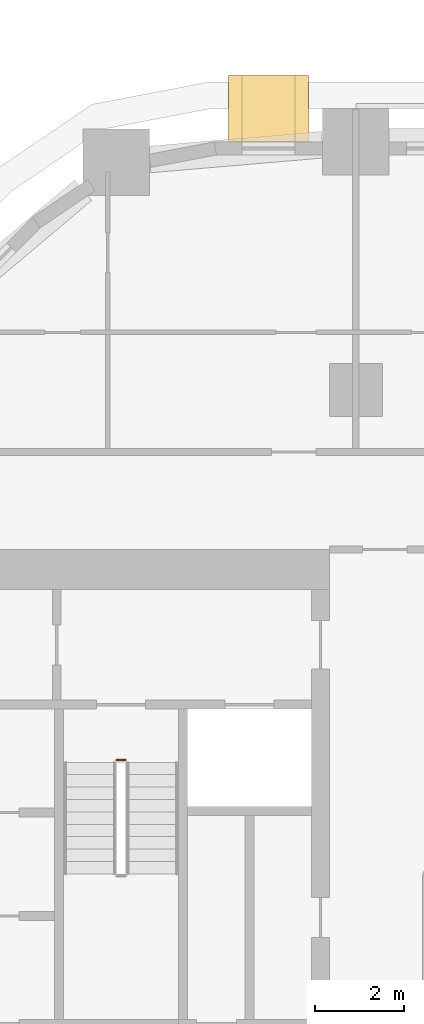
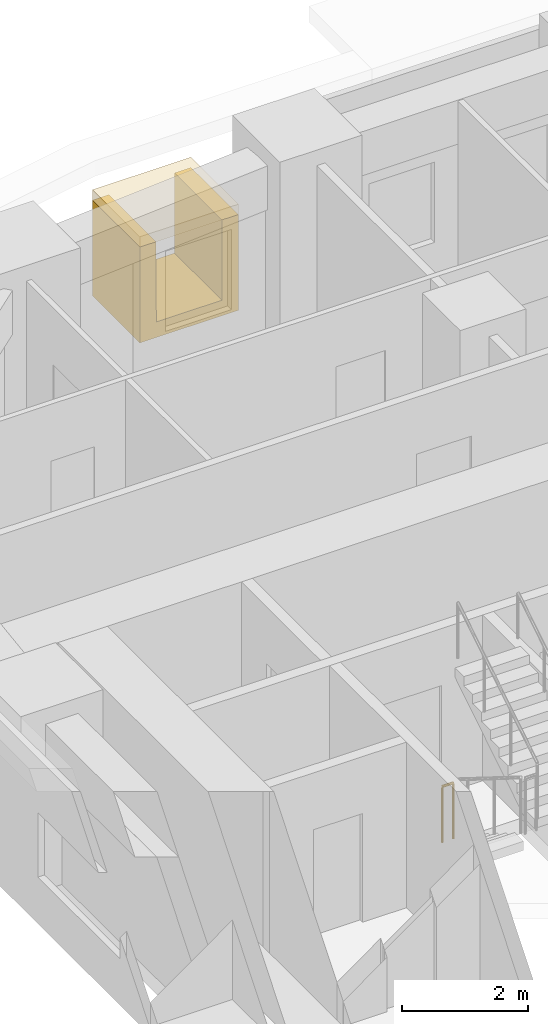
# One storey, part 20 of 22: 2 coverings, 1 railing.
"""IFC4 building model written with IfcOpenShell, lengths in metres."""

from ifc_helpers import new_model, si_unit, direction, frame, origin, origin_2d, place, context, subcontext, project, spatial, polyline, rectangle, circle, outline, extrude, material, layer, layer_set, type_object, element, save


model = new_model("IFC4")

# Units and contexts
model_context = context("Model", 3, precision=1e-05, world=origin(), true_north=direction((0.0, 1.0)))
body_context = subcontext(model_context, "Body", "Model", "MODEL_VIEW")
ifc_project = project(units=[si_unit("LENGTHUNIT", "METRE"), si_unit("AREAUNIT", "SQUARE_METRE"), si_unit("VOLUMEUNIT", "CUBIC_METRE"), si_unit("PLANEANGLEUNIT", "RADIAN"), si_unit("MASSUNIT", "GRAM", prefix="KILO")], contexts=[model_context])

# Site, building, storey
site_placement = place(None, origin())
site = spatial("IfcSite", under=ifc_project, at=site_placement, CompositionType="ELEMENT")
building_placement = place(site_placement, origin())
building = spatial("IfcBuilding", under=site, at=building_placement, Name="Kiln Ring Residences", CompositionType="ELEMENT")
storey_placement = place(building_placement, frame((0.0, 0.0, 44.5)))
storey = spatial("IfcBuildingStorey", under=building, at=storey_placement, Name="L10", CompositionType="ELEMENT", Elevation=44.5)

# Railing
ifc_material_1 = material(Name="Stainless steel", Category="steel")
railing_type = type_object("IfcRailingType", Name="CORE-STAIR-GUARD", PredefinedType="GUARDRAIL", material=ifc_material_1)
railing_placement = place(storey_placement, frame((-22.199951171875, 8.449951171875, 0.0)))
element("IfcRailing", 1, at=railing_placement, inside=storey, type_object=railing_type, Name="L10 W-STN stair guard 4", PredefinedType="GUARDRAIL", context=body_context, shape_type="SweptSolid", body=[
    extrude(circle(Radius=0.02392578125, at=origin_2d()), frame((0.0, 0.0, 1.076171875), z_axis=(1.0, 0.0, 0.0), x_axis=(0.0, 1.0, 0.0)), (0.0, 0.0, 1.0), 0.199951171875),
    extrude(circle(Radius=0.02099609375, at=origin_2d()), origin(), (0.0, 0.0, 1.0), 1.052001953125),
    extrude(circle(Radius=0.02099609375, at=origin_2d()), frame((0.199951171875, 0.0, 0.0)), (0.0, 0.0, 1.0), 1.052001953125),
])

# Coverings
ifc_material_2 = material(Name="Brick masonry, dark clay brick", Category="masonry")
ifc_layer_1 = layer(ifc_material_2, 0.300048828125)
ifc_layer_set_1 = layer_set([ifc_layer_1], Name="FRAME CHEEKS AND SILL 1500")
covering_type_1 = type_object("IfcCoveringType", Name="FRAME CHEEKS AND SILL 1500", PredefinedType="CLADDING", material=ifc_layer_set_1)
covering_1_placement = place(storey_placement, frame((-17.875, 23.14990234375, 0.300048828125), z_axis=(0.0, 0.0, 1.0), x_axis=(-1.0, 0.0, 0.0)))
element("IfcCovering", 2, at=covering_1_placement, inside=storey, type_object=covering_type_1, Name="FRAME L10", PredefinedType="CLADDING", context=body_context, shape_type="SweptSolid", body=[
    extrude(outline(polyline([(0.0, 0.0), (1.800048828125, 0.0), (1.800048828125, 1.849853515625), (1.5009765625, 1.849853515625), (1.5, 0.300048828125), (0.300048828125, 0.300048828125), (0.299072265625, 1.849853515625), (0.0, 1.849853515625), (0.0, 0.0)])), frame((0.0, 0.75, 0.0), z_axis=(0.0, -1.0, 0.0), x_axis=(1.0, 0.0, 0.0)), (0.0, 0.0, 1.0), 1.5),
])
ifc_material_3 = material(Name="Brick masonry, dark clay brick", Category="masonry")
ifc_layer_2 = layer(ifc_material_3, 0.199951171875)
ifc_layer_set_2 = layer_set([ifc_layer_2], Name="FRAME HEAD 1500")
covering_type_2 = type_object("IfcCoveringType", Name="FRAME HEAD 1500", PredefinedType="CLADDING", material=ifc_layer_set_2)
covering_2_placement = place(storey_placement, frame((-18.77490234375, 23.14990234375, 2.14990234375), z_axis=(0.0, 0.0, 1.0), x_axis=(-1.0, 0.0, 0.0)))
element("IfcCovering", 3, at=covering_2_placement, inside=storey, type_object=covering_type_2, Name="FRAME HEAD L10", PredefinedType="CLADDING", context=body_context, shape_type="SweptSolid", body=[
    extrude(rectangle(XDim=1.800048828125, YDim=1.5, at=origin_2d()), origin(), (0.0, 0.0, 1.0), 0.199951171875),
])

save(model, "model.ifc")
